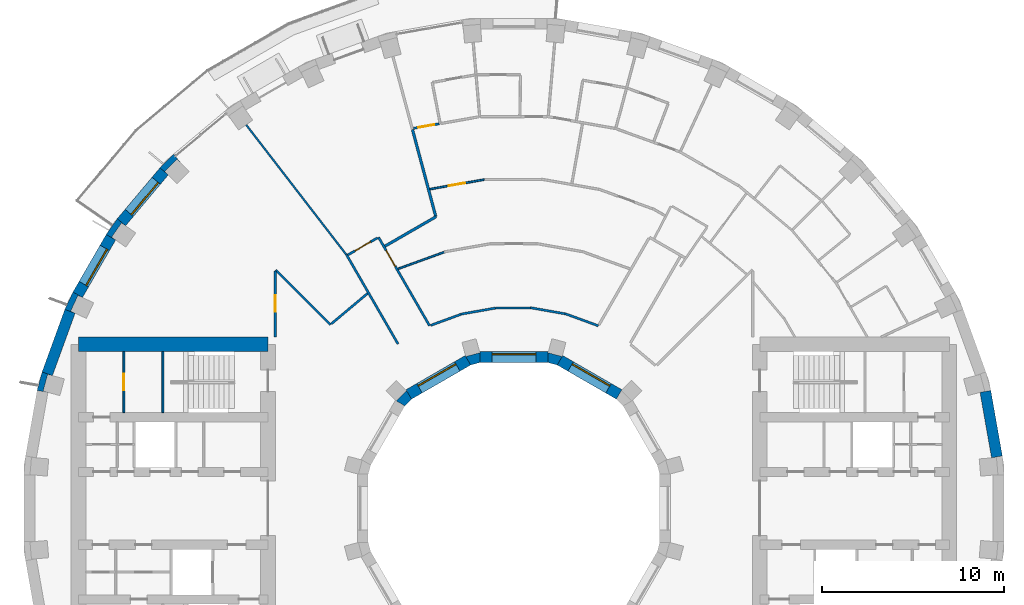
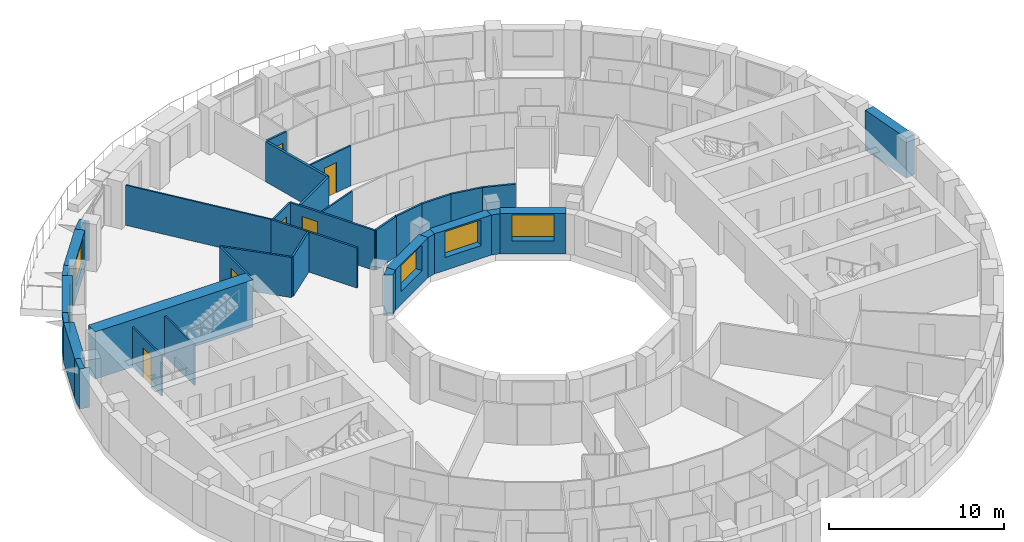
# One storey, part 10 of 14: 34 walls, 6 doors, 5 windows, 11 openings.
"""IFC4 building model written with IfcOpenShell, lengths in metres."""

from ifc_helpers import new_model, si_unit, direction, frame, frame_2d, origin, place, context, subcontext, project, spatial, polyline, rectangle, outline, extrude, material, layer, layer_set, type_object, element, fill, save


model = new_model("IFC4")

# Units and contexts
model_context = context("Model", 3, precision=1e-05, world=origin(), true_north=direction((0.0, 1.0)))
body_context = subcontext(model_context, "Body", "Model", "MODEL_VIEW")
ifc_project = project(units=[si_unit("LENGTHUNIT", "METRE"), si_unit("AREAUNIT", "SQUARE_METRE"), si_unit("VOLUMEUNIT", "CUBIC_METRE"), si_unit("PLANEANGLEUNIT", "RADIAN"), si_unit("MASSUNIT", "GRAM", prefix="KILO")], contexts=[model_context])

# Site, building, storey
site_placement = place(None, origin())
site = spatial("IfcSite", under=ifc_project, at=site_placement, CompositionType="ELEMENT")
building_placement = place(site_placement, origin())
building = spatial("IfcBuilding", under=site, at=building_placement, Name="Saqina Gate Tower", CompositionType="ELEMENT")
storey_placement = place(building_placement, frame((0.0, 0.0, 98.5)))
storey = spatial("IfcBuildingStorey", under=building, at=storey_placement, Name="L27", CompositionType="ELEMENT", Elevation=98.5)

# Walls
ifc_material_1 = material(Name="Brick masonry (buff)", Category="masonry")
wall_type_1 = type_object("IfcWallType", Name="BRICK PIER COPING BUFF", PredefinedType="SOLIDWALL", material=ifc_material_1)
wall_1_placement = place(storey_placement, origin())
element("IfcWall", 1, at=wall_1_placement, inside=storey, type_object=wall_type_1, Name="Pier cap L27 column 14", PredefinedType="SOLIDWALL", context=body_context, shape_type="SweptSolid", body=[
    extrude(outline(polyline([(-18.686279296875, 19.43212890625), (-19.43212890625, 18.686279296875), (-18.972412109375, 18.30078125), (-19.16259765625, 18.49072265625), (-18.49072265625, 19.16259765625), (-18.30078125, 18.972412109375), (-18.686279296875, 19.43212890625)])), origin(), (0.0, 0.0, 1.0), 2.800048828125),
])
wall_2_placement = place(storey_placement, origin())
element("IfcWall", 2, at=wall_2_placement, inside=storey, type_object=wall_type_1, Name="Pier cap L27 column 15", PredefinedType="SOLIDWALL", context=body_context, shape_type="SweptSolid", body=[
    extrude(outline(polyline([(-22.3818359375, 15.0283203125), (-21.862060546875, 14.728271484375), (-22.08251953125, 14.88232421875), (-21.53759765625, 15.66064453125), (-21.317138671875, 15.50634765625), (-21.77685546875, 15.89208984375), (-22.3818359375, 15.0283203125)])), origin(), (0.0, 0.0, 1.0), 2.800048828125),
])
wall_3_placement = place(storey_placement, origin())
element("IfcWall", 3, at=wall_3_placement, inside=storey, type_object=wall_type_1, Name="Pier cap L27 column 16", PredefinedType="SOLIDWALL", context=body_context, shape_type="SweptSolid", body=[
    extrude(outline(polyline([(-24.6513671875, 10.913330078125), (-24.08740234375, 10.7080078125), (-24.331298828125, 10.82177734375), (-23.9296875, 11.6826171875), (-23.68603515625, 11.569091796875), (-24.205810546875, 11.869140625), (-24.6513671875, 10.913330078125)])), origin(), (0.0, 0.0, 1.0), 2.800048828125),
])
wall_4_placement = place(storey_placement, origin())
element("IfcWall", 4, at=wall_4_placement, inside=storey, type_object=wall_type_1, Name="Pier cap L27 column 17", PredefinedType="SOLIDWALL", context=body_context, shape_type="SweptSolid", body=[
    extrude(outline(polyline([(-25.89892578125, 7.485595703125), (-26.171875, 6.466796875), (-25.5810546875, 6.36279296875), (-25.8408203125, 6.43212890625), (-25.5947265625, 7.349853515625), (-25.335205078125, 7.2802734375), (-25.89892578125, 7.485595703125)])), origin(), (0.0, 0.0, 1.0), 2.800048828125),
])

# Wall, opening, door
ifc_material_2 = material(Name="Gypsum board on steel studs", Category="steel")
ifc_layer_1 = layer(ifc_material_2, 0.10009765625)
ifc_layer_set_1 = layer_set([ifc_layer_1], Name="CORE PARTITION")
wall_type_2 = type_object("IfcWallType", Name="CORE PARTITION", PredefinedType="PARTITIONING", material=ifc_layer_set_1)
wall_5_placement = place(storey_placement, frame((-21.409912109375, 5.25, 0.0), z_axis=(0.0, 0.0, 1.0), x_axis=(0.0, 1.0, 0.0)))
wall_5 = element("IfcWall", 5, at=wall_5_placement, inside=storey, type_object=wall_type_2, Name="L27-CP-W13", PredefinedType="PARTITIONING", context=body_context, shape_type="SweptSolid", body=[
    extrude(rectangle(XDim=3.35009765625, YDim=0.10009765625, at=frame_2d((1.675048828125, 0.0))), origin(), (0.0, 0.0, 1.0), 2.800048828125),
])
opening_1_placement = place(wall_5_placement, frame((1.22509765625, 0.0, 0.0)))
opening_1 = element("IfcOpeningElement", 6, at=opening_1_placement, cuts=wall_5, Name="Opening G07-D143", PredefinedType="OPENING", context=body_context, shape_type="SweptSolid", body=[
    extrude(rectangle(XDim=0.89990234375, YDim=2.10009765625, at=frame_2d((0.449951171875, 1.050048828125))), frame((0.0, 0.06201171875, 0.0), z_axis=(0.0, -1.0, 0.0), x_axis=(1.0, 0.0, 0.0)), (0.0, 0.0, 1.0), 0.1240234375),
])
ifc_material_3 = material(Name="Steel-framed fire door leaf, EI 60", Category="steel")
door_type_1 = type_object("IfcDoorType", Name="SERVICE ROOM DOOR 900", OperationType="SINGLE_SWING_LEFT", PredefinedType="DOOR", material=ifc_material_3)
door_1_placement = place(opening_1_placement, origin())
door_1 = element("IfcDoor", 7, at=door_1_placement, inside=storey, type_object=door_type_1, Name="L27-CD-W28", OperationType="SINGLE_SWING_RIGHT", OverallHeight=2.10009765625, OverallWidth=0.89990234375, PredefinedType="DOOR", context=body_context, shape_type="SweptSolid", body=[
    extrude(rectangle(XDim=0.89990234375, YDim=2.10009765625, at=frame_2d((0.449951171875, 1.050048828125))), frame((0.0, 0.02490234375, 0.0), z_axis=(0.0, -1.0, 0.0), x_axis=(1.0, 0.0, 0.0)), (0.0, 0.0, 1.0), 0.050048828125),
])
fill(opening_1, door_1)

# Wall, opening, window
ifc_material_4 = material(Name="Brick masonry (buff)", Category="masonry")
ifc_layer_2 = layer(ifc_material_4, 0.60009765625)
ifc_layer_set_2 = layer_set([ifc_layer_2], Name="FW-BRICK-BUFF")
wall_type_3 = type_object("IfcWallType", Name="FW-BRICK-BUFF", PredefinedType="SOLIDWALL", material=ifc_layer_set_2)
wall_6_placement = place(storey_placement, frame((-19.202392578125, 18.49365234375, 0.0), z_axis=(0.0, 0.0, 1.0), x_axis=(-0.642774476932, -0.766055462616, 0.0)))
wall_6 = element("IfcWall", 8, at=wall_6_placement, inside=storey, type_object=wall_type_3, Name="Facade wall L27 facet 14", PredefinedType="SOLIDWALL", context=body_context, shape_type="SweptSolid", body=[
    extrude(rectangle(XDim=3.647705078125, YDim=0.60009765625, at=frame_2d((1.82373046875, 0.0))), origin(), (0.0, 0.0, 1.0), 2.800048828125),
])
opening_2_placement = place(wall_6_placement, frame((0.673828125, 0.0, 0.89990234375)))
opening_2 = element("IfcOpeningElement", 9, at=opening_2_placement, cuts=wall_6, Name="Opening G07-W08", PredefinedType="OPENING", context=body_context, shape_type="SweptSolid", body=[
    extrude(rectangle(XDim=2.300048828125, YDim=1.800048828125, at=frame_2d((1.14990234375, 0.89990234375))), frame((0.0, 0.31201171875, 0.0), z_axis=(0.0, -1.0, 0.0), x_axis=(1.0, 0.0, 0.0)), (0.0, 0.0, 1.0), 0.6240234375),
])
ifc_material_5 = material(Name="Aluminium glazing", Category="aluminium")
window_type_1 = type_object("IfcWindowType", Name="WN-B", PartitioningType="SINGLE_PANEL", PredefinedType="WINDOW", material=ifc_material_5)
window_1_placement = place(opening_2_placement, origin())
window_1 = element("IfcWindow", 10, at=window_1_placement, inside=storey, type_object=window_type_1, Name="Window L27 facet 14", OverallHeight=1.800048828125, OverallWidth=2.300048828125, PartitioningType="SINGLE_PANEL", PredefinedType="WINDOW", context=body_context, shape_type="SweptSolid", body=[
    extrude(rectangle(XDim=2.300048828125, YDim=1.800048828125, at=frame_2d((1.14990234375, 0.89990234375))), frame((0.0, 0.179931640625, 0.0), z_axis=(0.0, -1.0, 0.0), x_axis=(1.0, 0.0, 0.0)), (0.0, 0.0, 1.0), 0.06005859375),
])
fill(opening_2, window_1)

wall_7_placement = place(storey_placement, frame((-22.1220703125, 14.878173828125, 0.0), z_axis=(0.0, 0.0, 1.0), x_axis=(-0.499954196102, -0.866051847062, 0.0)))
wall_7 = element("IfcWall", 11, at=wall_7_placement, inside=storey, type_object=wall_type_3, Name="Facade wall L27 facet 15", PredefinedType="SOLIDWALL", context=body_context, shape_type="SweptSolid", body=[
    extrude(rectangle(XDim=3.647705078125, YDim=0.60009765625, at=frame_2d((1.82373046875, 0.0))), origin(), (0.0, 0.0, 1.0), 2.800048828125),
])
opening_3_placement = place(wall_7_placement, frame((0.673828125, 0.0, 0.89990234375)))
opening_3 = element("IfcOpeningElement", 12, at=opening_3_placement, cuts=wall_7, Name="Opening G07-W09", PredefinedType="OPENING", context=body_context, shape_type="SweptSolid", body=[
    extrude(rectangle(XDim=2.300048828125, YDim=1.800048828125, at=frame_2d((1.14990234375, 0.89990234375))), frame((0.0, 0.31201171875, 0.0), z_axis=(0.0, -1.0, 0.0), x_axis=(1.0, 0.0, 0.0)), (0.0, 0.0, 1.0), 0.6240234375),
])
window_2_placement = place(opening_3_placement, origin())
window_2 = element("IfcWindow", 13, at=window_2_placement, inside=storey, type_object=window_type_1, Name="Window L27 facet 15", OverallHeight=1.800048828125, OverallWidth=2.300048828125, PartitioningType="SINGLE_PANEL", PredefinedType="WINDOW", context=body_context, shape_type="SweptSolid", body=[
    extrude(rectangle(XDim=2.300048828125, YDim=1.800048828125, at=frame_2d((1.14990234375, 0.89990234375))), frame((0.0, 0.179931640625, 0.0), z_axis=(0.0, -1.0, 0.0), x_axis=(1.0, 0.0, 0.0)), (0.0, 0.0, 1.0), 0.06005859375),
])
fill(opening_3, window_2)

# Walls
ifc_material_6 = material(Name="Glazed ceramic tile", Category="ceramic")
ifc_layer_3 = layer(ifc_material_6, 0.60009765625)
ifc_layer_set_3 = layer_set([ifc_layer_3], Name="FW-TILE")
wall_type_4 = type_object("IfcWallType", Name="FW-TILE", PredefinedType="SOLIDWALL", material=ifc_layer_set_3)
wall_8_placement = place(storey_placement, frame((-24.369384765625, 10.810791015625, 0.0), z_axis=(0.0, 0.0, 1.0), x_axis=(-0.341990236633, -0.939703505393, 0.0)))
element("IfcWall", 14, at=wall_8_placement, inside=storey, type_object=wall_type_4, Name="Facade wall L27 facet 16", PredefinedType="SOLIDWALL", context=body_context, shape_type="SweptSolid", body=[
    extrude(rectangle(XDim=3.64794921875, YDim=0.60009765625, at=frame_2d((1.823974609375, 0.0))), origin(), (0.0, 0.0, 1.0), 2.800048828125),
])
ifc_material_7 = material(Name="Glazed ceramic tile (white)", Category="ceramic")
ifc_layer_4 = layer(ifc_material_7, 0.60009765625)
ifc_layer_set_4 = layer_set([ifc_layer_4], Name="FW-TILE-WH")
wall_type_5 = type_object("IfcWallType", Name="FW-TILE-WH", PredefinedType="SOLIDWALL", material=ifc_layer_set_4)
wall_9_placement = place(storey_placement, frame((26.510009765625, 2.822265625, 0.0), z_axis=(0.0, 0.0, 1.0), x_axis=(-0.173670796382, 0.984803764455, 0.0)))
element("IfcWall", 15, at=wall_9_placement, inside=storey, type_object=wall_type_5, Name="Facade wall L27 facet 1", PredefinedType="SOLIDWALL", context=body_context, shape_type="SweptSolid", body=[
    extrude(rectangle(XDim=3.64794921875, YDim=0.60009765625, at=frame_2d((1.823974609375, 0.0))), origin(), (0.0, 0.0, 1.0), 2.800048828125),
])

# Wall, opening, window
ifc_material_8 = material(Name="Glazed ceramic tile", Category="ceramic")
ifc_layer_5 = layer(ifc_material_8, 0.60009765625)
ifc_layer_set_5 = layer_set([ifc_layer_5], Name="IW-TILE")
wall_type_6 = type_object("IfcWallType", Name="IW-TILE", PredefinedType="SOLIDWALL", material=ifc_layer_set_5)
wall_10_placement = place(storey_placement, frame((5.772705078125, 6.251220703125, 0.0), z_axis=(0.0, 0.0, 1.0), x_axis=(-0.86604563398, 0.499964958637, 0.0)))
wall_10 = element("IfcWall", 16, at=wall_10_placement, inside=storey, type_object=wall_type_6, Name="Well wall L27 facet 2", PredefinedType="SOLIDWALL", context=body_context, shape_type="SweptSolid", body=[
    extrude(rectangle(XDim=3.747314453125, YDim=0.60009765625, at=frame_2d((1.87353515625, 0.0))), origin(), (0.0, 0.0, 1.0), 2.800048828125),
])
opening_4_placement = place(wall_10_placement, frame((0.673583984375, 0.0, 0.89990234375)))
opening_4 = element("IfcOpeningElement", 17, at=opening_4_placement, cuts=wall_10, Name="Opening G07-W24", PredefinedType="OPENING", context=body_context, shape_type="SweptSolid", body=[
    extrude(rectangle(XDim=2.39990234375, YDim=1.800048828125, at=frame_2d((1.199951171875, 0.89990234375))), frame((0.0, 0.31201171875, 0.0), z_axis=(0.0, -1.0, 0.0), x_axis=(1.0, 0.0, 0.0)), (0.0, 0.0, 1.0), 0.6240234375),
])
ifc_material_9 = material(Name="Aluminium glazing", Category="aluminium")
window_type_2 = type_object("IfcWindowType", Name="WN-W", PartitioningType="SINGLE_PANEL", PredefinedType="WINDOW", material=ifc_material_9)
window_3_placement = place(opening_4_placement, origin())
window_3 = element("IfcWindow", 18, at=window_3_placement, inside=storey, type_object=window_type_2, Name="Well window L27 facet 2", OverallHeight=1.800048828125, OverallWidth=2.39990234375, PartitioningType="SINGLE_PANEL", PredefinedType="WINDOW", context=body_context, shape_type="SweptSolid", body=[
    extrude(rectangle(XDim=2.39990234375, YDim=1.800048828125, at=frame_2d((1.199951171875, 0.89990234375))), frame((0.0, -0.119873046875, 0.0), z_axis=(0.0, -1.0, 0.0), x_axis=(1.0, 0.0, 0.0)), (0.0, 0.0, 1.0), 0.06005859375),
])
fill(opening_4, window_3)

wall_11_placement = place(storey_placement, frame((1.873779296875, 8.300048828125, 0.0), z_axis=(0.0, 0.0, 1.0), x_axis=(-1.0, 0.0, 0.0)))
wall_11 = element("IfcWall", 19, at=wall_11_placement, inside=storey, type_object=wall_type_6, Name="Well wall L27 facet 3", PredefinedType="SOLIDWALL", context=body_context, shape_type="SweptSolid", body=[
    extrude(rectangle(XDim=3.74755859375, YDim=0.60009765625, at=frame_2d((1.873779296875, 0.0))), origin(), (0.0, 0.0, 1.0), 2.800048828125),
])
opening_5_placement = place(wall_11_placement, frame((0.673583984375, 0.0, 0.89990234375)))
opening_5 = element("IfcOpeningElement", 20, at=opening_5_placement, cuts=wall_11, Name="Opening G07-W25", PredefinedType="OPENING", context=body_context, shape_type="SweptSolid", body=[
    extrude(rectangle(XDim=2.39990234375, YDim=1.800048828125, at=frame_2d((1.199951171875, 0.89990234375))), frame((0.0, 0.31201171875, 0.0), z_axis=(0.0, -1.0, 0.0), x_axis=(1.0, 0.0, 0.0)), (0.0, 0.0, 1.0), 0.6240234375),
])
window_4_placement = place(opening_5_placement, origin())
window_4 = element("IfcWindow", 21, at=window_4_placement, inside=storey, type_object=window_type_2, Name="Well window L27 facet 3", OverallHeight=1.800048828125, OverallWidth=2.39990234375, PartitioningType="SINGLE_PANEL", PredefinedType="WINDOW", context=body_context, shape_type="SweptSolid", body=[
    extrude(rectangle(XDim=2.39990234375, YDim=1.800048828125, at=frame_2d((1.199951171875, 0.89990234375))), frame((0.0, -0.119873046875, 0.0), z_axis=(0.0, -1.0, 0.0), x_axis=(1.0, 0.0, 0.0)), (0.0, 0.0, 1.0), 0.06005859375),
])
fill(opening_5, window_4)

wall_12_placement = place(storey_placement, frame((-2.52734375, 8.124755859375, 0.0), z_axis=(0.0, 0.0, 1.0), x_axis=(-0.86604563398, -0.499964958637, 0.0)))
wall_12 = element("IfcWall", 22, at=wall_12_placement, inside=storey, type_object=wall_type_6, Name="Well wall L27 facet 4", PredefinedType="SOLIDWALL", context=body_context, shape_type="SweptSolid", body=[
    extrude(rectangle(XDim=3.747314453125, YDim=0.60009765625, at=frame_2d((1.87353515625, 0.0))), origin(), (0.0, 0.0, 1.0), 2.800048828125),
])
opening_6_placement = place(wall_12_placement, frame((0.673583984375, 0.0, 0.89990234375)))
opening_6 = element("IfcOpeningElement", 23, at=opening_6_placement, cuts=wall_12, Name="Opening G07-W26", PredefinedType="OPENING", context=body_context, shape_type="SweptSolid", body=[
    extrude(rectangle(XDim=2.39990234375, YDim=1.800048828125, at=frame_2d((1.199951171875, 0.89990234375))), frame((0.0, 0.31201171875, 0.0), z_axis=(0.0, -1.0, 0.0), x_axis=(1.0, 0.0, 0.0)), (0.0, 0.0, 1.0), 0.6240234375),
])
window_5_placement = place(opening_6_placement, origin())
window_5 = element("IfcWindow", 24, at=window_5_placement, inside=storey, type_object=window_type_2, Name="Well window L27 facet 4", OverallHeight=1.800048828125, OverallWidth=2.39990234375, PartitioningType="SINGLE_PANEL", PredefinedType="WINDOW", context=body_context, shape_type="SweptSolid", body=[
    extrude(rectangle(XDim=2.39990234375, YDim=1.800048828125, at=frame_2d((1.199951171875, 0.89990234375))), frame((0.0, -0.119873046875, 0.0), z_axis=(0.0, -1.0, 0.0), x_axis=(1.0, 0.0, 0.0)), (0.0, 0.0, 1.0), 0.06005859375),
])
fill(opening_6, window_5)

# Wall
ifc_material_10 = material(Name="Gypsum board on steel studs, 100 mm", Category="steel")
ifc_layer_6 = layer(ifc_material_10, 0.10009765625)
ifc_layer_set_6 = layer_set([ifc_layer_6], Name="PARTITION 100")
wall_type_7 = type_object("IfcWallType", Name="PARTITION 100", PredefinedType="PARTITIONING", material=ifc_layer_set_6)
wall_13_placement = place(storey_placement, frame((-14.6943359375, 21.042236328125, 0.0), z_axis=(0.0, 0.0, 1.0), x_axis=(0.610804913832, -0.79178112963, 0.0)))
element("IfcWall", 25, at=wall_13_placement, inside=storey, type_object=wall_type_7, Name="PARTITION PW3-15", PredefinedType="PARTITIONING", context=body_context, shape_type="SweptSolid", body=[
    extrude(rectangle(XDim=8.988525390625, YDim=0.10009765625, at=frame_2d((4.494140625, 0.0))), origin(), (0.0, 0.0, 1.0), 2.800048828125),
])

# Wall, opening, door
wall_14_placement = place(storey_placement, frame((-4.6162109375, 17.51708984375, 0.0), z_axis=(0.0, 0.0, 1.0), x_axis=(0.984849913621, 0.173408903003, 0.0)))
wall_14 = element("IfcWall", 26, at=wall_14_placement, inside=storey, type_object=wall_type_7, Name="PARTITION PW3-62", PredefinedType="PARTITIONING", context=body_context, shape_type="SweptSolid", body=[
    extrude(rectangle(XDim=3.033935546875, YDim=0.10009765625, at=frame_2d((1.51708984375, 0.0))), origin(), (0.0, 0.0, 1.0), 2.800048828125),
])
opening_7_placement = place(wall_14_placement, frame((1.054443359375, 0.0, 0.0)))
opening_7 = element("IfcOpeningElement", 27, at=opening_7_placement, cuts=wall_14, Name="Opening G07-D19", PredefinedType="OPENING", context=body_context, shape_type="SweptSolid", body=[
    extrude(rectangle(XDim=0.89990234375, YDim=2.10009765625, at=frame_2d((0.449951171875, 1.050048828125))), frame((0.0, 0.06201171875, 0.0), z_axis=(0.0, -1.0, 0.0), x_axis=(1.0, 0.0, 0.0)), (0.0, 0.0, 1.0), 0.1240234375),
])
ifc_material_11 = material(Name="Timber door leaf, 900 mm", Category="wood")
door_type_2 = type_object("IfcDoorType", Name="DOOR 900 TIMBER", OperationType="SINGLE_SWING_LEFT", PredefinedType="DOOR", material=ifc_material_11)
door_2_placement = place(opening_7_placement, frame((0.89990234375, 0.0, 0.0), z_axis=(0.0, 0.0, 1.0), x_axis=(-1.0, 0.0, 0.0)))
door_2 = element("IfcDoor", 28, at=door_2_placement, inside=storey, type_object=door_type_2, Name="DOOR G07-D19", OperationType="SINGLE_SWING_RIGHT", OverallHeight=2.10009765625, OverallWidth=0.89990234375, PredefinedType="DOOR", context=body_context, shape_type="SweptSolid", body=[
    extrude(rectangle(XDim=0.89990234375, YDim=2.10009765625, at=frame_2d((0.449951171875, 1.050048828125))), frame((0.0, 0.02490234375, 0.0), z_axis=(0.0, -1.0, 0.0), x_axis=(1.0, 0.0, 0.0)), (0.0, 0.0, 1.0), 0.050048828125),
])
fill(opening_7, door_2)

# Walls
wall_15_placement = place(storey_placement, frame((-6.361083984375, 13.141357421875, 0.0), z_axis=(0.0, 0.0, 1.0), x_axis=(0.939569098227, 0.342359328275, 0.0)))
element("IfcWall", 29, at=wall_15_placement, inside=storey, type_object=wall_type_7, Name="PARTITION PW3-68", PredefinedType="PARTITIONING", context=body_context, shape_type="SweptSolid", body=[
    extrude(rectangle(XDim=2.703369140625, YDim=0.10009765625, at=frame_2d((1.3515625, 0.0))), origin(), (0.0, 0.0, 1.0), 2.800048828125),
])
ifc_material_12 = material(Name="Gypsum board on steel studs, 125 mm, fire rated", Category="steel")
ifc_layer_7 = layer(ifc_material_12, 0.125)
ifc_layer_set_7 = layer_set([ifc_layer_7], Name="PARTITION EI 30 125")
wall_type_8 = type_object("IfcWallType", Name="PARTITION EI 30 125", PredefinedType="PARTITIONING", material=ifc_layer_set_7)
wall_16_placement = place(storey_placement, frame((-9.197265625, 13.930419921875, 0.0), z_axis=(0.0, 0.0, 1.0), x_axis=(0.499811918813, -0.86613396528, 0.0)))
element("IfcWall", 30, at=wall_16_placement, inside=storey, type_object=wall_type_8, Name="PARTITION PW1-03", PredefinedType="PARTITIONING", context=body_context, shape_type="SweptSolid", body=[
    extrude(rectangle(XDim=5.669677734375, YDim=0.125, at=frame_2d((2.8349609375, 0.0))), origin(), (0.0, 0.0, 1.0), 2.800048828125),
])

# Wall, opening, door
wall_17_placement = place(storey_placement, frame((-7.43408203125, 14.8759765625, 0.0), z_axis=(0.0, 0.0, 1.0), x_axis=(0.499750096908, -0.866169637335, 0.0)))
wall_17 = element("IfcWall", 31, at=wall_17_placement, inside=storey, type_object=wall_type_8, Name="PARTITION PW1-04", PredefinedType="PARTITIONING", context=body_context, shape_type="SweptSolid", body=[
    extrude(rectangle(XDim=5.606689453125, YDim=0.125, at=frame_2d((2.80322265625, 0.0))), origin(), (0.0, 0.0, 1.0), 2.800048828125),
])
opening_8_placement = place(wall_17_placement, frame((0.83740234375, 0.0, 0.0)))
opening_8 = element("IfcOpeningElement", 32, at=opening_8_placement, cuts=wall_17, Name="Opening G07-D21", PredefinedType="OPENING", context=body_context, shape_type="SweptSolid", body=[
    extrude(rectangle(XDim=1.0, YDim=2.10009765625, at=frame_2d((0.5, 1.050048828125))), frame((0.0, 0.074462890625, 0.0), z_axis=(0.0, -1.0, 0.0), x_axis=(1.0, 0.0, 0.0)), (0.0, 0.0, 1.0), 0.14892578125),
])
ifc_material_13 = material(Name="Fire door leaf EI 30, 1000 mm")
door_type_3 = type_object("IfcDoorType", Name="DOOR 1000 EI 30", OperationType="SINGLE_SWING_LEFT", PredefinedType="DOOR", material=ifc_material_13)
door_3_placement = place(opening_8_placement, origin())
door_3 = element("IfcDoor", 33, at=door_3_placement, inside=storey, type_object=door_type_3, Name="DOOR G07-D21", OperationType="SINGLE_SWING_LEFT", OverallHeight=2.10009765625, OverallWidth=1.0, PredefinedType="DOOR", context=body_context, shape_type="SweptSolid", body=[
    extrude(rectangle(XDim=1.0, YDim=2.10009765625, at=frame_2d((0.5, 1.050048828125))), frame((0.0, 0.02490234375, 0.0), z_axis=(0.0, -1.0, 0.0), x_axis=(1.0, 0.0, 0.0)), (0.0, 0.0, 1.0), 0.050048828125),
])
fill(opening_8, door_3)

# Walls
wall_18_placement = place(storey_placement, frame((-13.078857421875, 13.078857421875, 0.0), z_axis=(0.0, 0.0, 1.0), x_axis=(0.707106781187, -0.707106781187, 0.0)))
element("IfcWall", 34, at=wall_18_placement, inside=storey, type_object=wall_type_8, Name="PARTITION PW1-09", PredefinedType="PARTITIONING", context=body_context, shape_type="SweptSolid", body=[
    extrude(rectangle(XDim=4.2421875, YDim=0.125, at=frame_2d((2.12109375, 0.0))), origin(), (0.0, 0.0, 1.0), 2.800048828125),
])
wall_19_placement = place(storey_placement, frame((2.7978515625, 10.68505859375, 0.0), z_axis=(0.0, 0.0, 1.0), x_axis=(0.939595877431, -0.342285826635, 0.0)))
element("IfcWall", 35, at=wall_19_placement, inside=storey, type_object=wall_type_8, Name="PARTITION PW1-21", PredefinedType="PARTITIONING", context=body_context, shape_type="SweptSolid", body=[
    extrude(rectangle(XDim=1.949951171875, YDim=0.125, at=frame_2d((0.97509765625, 0.0))), origin(), (0.0, 0.0, 1.0), 2.800048828125),
])
wall_20_placement = place(storey_placement, frame((0.8994140625, 11.010986328125, 0.0), z_axis=(0.0, 0.0, 1.0), x_axis=(0.984830733923, -0.173517795977, 0.0)))
element("IfcWall", 36, at=wall_20_placement, inside=storey, type_object=wall_type_8, Name="PARTITION PW1-25", PredefinedType="PARTITIONING", context=body_context, shape_type="SweptSolid", body=[
    extrude(rectangle(XDim=1.92626953125, YDim=0.125, at=frame_2d((0.963134765625, 0.0))), origin(), (0.0, 0.0, 1.0), 2.800048828125),
])
wall_21_placement = place(storey_placement, frame((-1.025390625, 11.0, 0.0), z_axis=(0.0, 0.0, 1.0), x_axis=(1.0, 0.0, 0.0)))
element("IfcWall", 37, at=wall_21_placement, inside=storey, type_object=wall_type_8, Name="PARTITION PW1-29", PredefinedType="PARTITIONING", context=body_context, shape_type="SweptSolid", body=[
    extrude(rectangle(XDim=1.9248046875, YDim=0.125, at=frame_2d((0.96240234375, 0.0))), origin(), (0.0, 0.0, 1.0), 2.800048828125),
])
wall_22_placement = place(storey_placement, frame((-2.920166015625, 10.655029296875, 0.0), z_axis=(0.0, 0.0, 1.0), x_axis=(0.98482691703, 0.173539458027, 0.0)))
element("IfcWall", 38, at=wall_22_placement, inside=storey, type_object=wall_type_8, Name="PARTITION PW1-33", PredefinedType="PARTITIONING", context=body_context, shape_type="SweptSolid", body=[
    extrude(rectangle(XDim=1.926025390625, YDim=0.125, at=frame_2d((0.962890625, 0.0))), origin(), (0.0, 0.0, 1.0), 2.800048828125),
])

# Wall, opening, door
wall_23_placement = place(storey_placement, frame((-5.51123046875, 20.85693359375, 0.0), z_axis=(0.0, 0.0, 1.0), x_axis=(0.984845301527, 0.173435094659, 0.0)))
wall_23 = element("IfcWall", 39, at=wall_23_placement, inside=storey, type_object=wall_type_8, Name="PARTITION PW1-34", PredefinedType="PARTITIONING", context=body_context, shape_type="SweptSolid", body=[
    extrude(rectangle(XDim=1.431640625, YDim=0.125, at=frame_2d((0.7158203125, 0.0))), origin(), (0.0, 0.0, 1.0), 2.800048828125),
])
opening_9_placement = place(wall_23_placement, frame((0.25390625, 0.0, 0.0)))
opening_9 = element("IfcOpeningElement", 40, at=opening_9_placement, cuts=wall_23, Name="Opening G07-D20", PredefinedType="OPENING", context=body_context, shape_type="SweptSolid", body=[
    extrude(rectangle(XDim=0.89990234375, YDim=2.10009765625, at=frame_2d((0.449951171875, 1.050048828125))), frame((0.0, 0.074462890625, 0.0), z_axis=(0.0, -1.0, 0.0), x_axis=(1.0, 0.0, 0.0)), (0.0, 0.0, 1.0), 0.14892578125),
])
ifc_material_14 = material(Name="Fire door leaf EI 30, 900 mm")
door_type_4 = type_object("IfcDoorType", Name="DOOR 900 EI 30", OperationType="SINGLE_SWING_LEFT", PredefinedType="DOOR", material=ifc_material_14)
door_4_placement = place(opening_9_placement, frame((0.89990234375, 0.0, 0.0), z_axis=(0.0, 0.0, 1.0), x_axis=(-1.0, 0.0, 0.0)))
door_4 = element("IfcDoor", 41, at=door_4_placement, inside=storey, type_object=door_type_4, Name="DOOR G07-D20", OperationType="SINGLE_SWING_RIGHT", OverallHeight=2.10009765625, OverallWidth=0.89990234375, PredefinedType="DOOR", context=body_context, shape_type="SweptSolid", body=[
    extrude(rectangle(XDim=0.89990234375, YDim=2.10009765625, at=frame_2d((0.449951171875, 1.050048828125))), frame((0.0, 0.02490234375, 0.0), z_axis=(0.0, -1.0, 0.0), x_axis=(1.0, 0.0, 0.0)), (0.0, 0.0, 1.0), 0.050048828125),
])
fill(opening_9, door_4)

# Wall
wall_24_placement = place(storey_placement, frame((-4.572265625, 10.04150390625, 0.0), z_axis=(0.0, 0.0, 1.0), x_axis=(0.939578855371, 0.342332549635, 0.0)))
element("IfcWall", 42, at=wall_24_placement, inside=storey, type_object=wall_type_8, Name="PARTITION PW1-37", PredefinedType="PARTITIONING", context=body_context, shape_type="SweptSolid", body=[
    extrude(rectangle(XDim=1.76220703125, YDim=0.125, at=frame_2d((0.881103515625, 0.0))), origin(), (0.0, 0.0, 1.0), 2.800048828125),
])

# Wall, opening, door
wall_25_placement = place(storey_placement, frame((-9.1220703125, 13.904052734375, 0.0), z_axis=(0.0, 0.0, 1.0), x_axis=(0.866620759959, 0.498967392128, 0.0)))
wall_25 = element("IfcWall", 43, at=wall_25_placement, inside=storey, type_object=wall_type_8, Name="PARTITION PW1-38", PredefinedType="PARTITIONING", context=body_context, shape_type="SweptSolid", body=[
    extrude(rectangle(XDim=1.88525390625, YDim=0.125, at=frame_2d((0.942626953125, 0.0))), origin(), (0.0, 0.0, 1.0), 2.800048828125),
])
opening_10_placement = place(wall_25_placement, frame((0.44775390625, 0.0, 0.0)))
opening_10 = element("IfcOpeningElement", 44, at=opening_10_placement, cuts=wall_25, Name="Opening G07-D22", PredefinedType="OPENING", context=body_context, shape_type="SweptSolid", body=[
    extrude(rectangle(XDim=1.0, YDim=2.10009765625, at=frame_2d((0.5, 1.050048828125))), frame((0.0, 0.074462890625, 0.0), z_axis=(0.0, -1.0, 0.0), x_axis=(1.0, 0.0, 0.0)), (0.0, 0.0, 1.0), 0.14892578125),
])
door_5_placement = place(opening_10_placement, frame((1.0, 0.0, 0.0), z_axis=(0.0, 0.0, 1.0), x_axis=(-1.0, 0.0, 0.0)))
door_5 = element("IfcDoor", 45, at=door_5_placement, inside=storey, type_object=door_type_3, Name="DOOR G07-D22", OperationType="SINGLE_SWING_LEFT", OverallHeight=2.10009765625, OverallWidth=1.0, PredefinedType="DOOR", context=body_context, shape_type="SweptSolid", body=[
    extrude(rectangle(XDim=1.0, YDim=2.10009765625, at=frame_2d((0.5, 1.050048828125))), frame((0.0, 0.02490234375, 0.0), z_axis=(0.0, -1.0, 0.0), x_axis=(1.0, 0.0, 0.0)), (0.0, 0.0, 1.0), 0.050048828125),
])
fill(opening_10, door_5)

# Wall
wall_26_placement = place(storey_placement, frame((-10.03125, 10.119384765625, 0.0), z_axis=(0.0, 0.0, 1.0), x_axis=(0.766096242005, 0.642725873126, 0.0)))
element("IfcWall", 46, at=wall_26_placement, inside=storey, type_object=wall_type_8, Name="PARTITION PW1-42", PredefinedType="PARTITIONING", context=body_context, shape_type="SweptSolid", body=[
    extrude(rectangle(XDim=2.604248046875, YDim=0.125, at=frame_2d((1.30224609375, 0.0))), origin(), (0.0, 0.0, 1.0), 2.800048828125),
])

# Wall, opening, door
wall_27_placement = place(storey_placement, frame((-13.10009765625, 9.39990234375, 0.0), z_axis=(0.0, 0.0, 1.0), x_axis=(0.0, 1.0, 0.0)))
wall_27 = element("IfcWall", 47, at=wall_27_placement, inside=storey, type_object=wall_type_8, Name="PARTITION PW1-52", PredefinedType="PARTITIONING", context=body_context, shape_type="SweptSolid", body=[
    extrude(rectangle(XDim=3.63671875, YDim=0.125, at=frame_2d((1.818359375, 0.0))), origin(), (0.0, 0.0, 1.0), 2.800048828125),
])
opening_11_placement = place(wall_27_placement, frame((1.3994140625, 0.0, 0.0)))
opening_11 = element("IfcOpeningElement", 48, at=opening_11_placement, cuts=wall_27, Name="Opening G07-D23", PredefinedType="OPENING", context=body_context, shape_type="SweptSolid", body=[
    extrude(rectangle(XDim=0.89990234375, YDim=2.10009765625, at=frame_2d((0.449951171875, 1.050048828125))), frame((0.0, 0.074462890625, 0.0), z_axis=(0.0, -1.0, 0.0), x_axis=(1.0, 0.0, 0.0)), (0.0, 0.0, 1.0), 0.14892578125),
])
door_6_placement = place(opening_11_placement, frame((0.89990234375, 0.0, 0.0), z_axis=(0.0, 0.0, 1.0), x_axis=(-1.0, 0.0, 0.0)))
door_6 = element("IfcDoor", 49, at=door_6_placement, inside=storey, type_object=door_type_4, Name="DOOR G07-D23", OperationType="SINGLE_SWING_LEFT", OverallHeight=2.10009765625, OverallWidth=0.89990234375, PredefinedType="DOOR", context=body_context, shape_type="SweptSolid", body=[
    extrude(rectangle(XDim=0.89990234375, YDim=2.10009765625, at=frame_2d((0.449951171875, 1.050048828125))), frame((0.0, 0.02490234375, 0.0), z_axis=(0.0, -1.0, 0.0), x_axis=(1.0, 0.0, 0.0)), (0.0, 0.0, 1.0), 0.050048828125),
])
fill(opening_11, door_6)

# Walls
ifc_material_15 = material(Name="Gypsum board on steel studs, 150 mm, fire rated", Category="steel")
ifc_layer_8 = layer(ifc_material_15, 0.14990234375)
ifc_layer_set_8 = layer_set([ifc_layer_8], Name="PARTITION EI 60 150")
wall_type_9 = type_object("IfcWallType", Name="PARTITION EI 60 150", PredefinedType="PARTITIONING", material=ifc_layer_set_8)
wall_28_placement = place(storey_placement, frame((-5.56884765625, 20.78369140625, 0.0), z_axis=(0.0, 0.0, 1.0), x_axis=(0.258810886784, -0.965928012267, 0.0)))
element("IfcWall", 50, at=wall_28_placement, inside=storey, type_object=wall_type_9, Name="PARTITION PW2-01", PredefinedType="PARTITIONING", context=body_context, shape_type="SweptSolid", body=[
    extrude(rectangle(XDim=4.94873046875, YDim=0.14990234375, at=frame_2d((2.474365234375, 0.0))), origin(), (0.0, 0.0, 1.0), 2.800048828125),
])
wall_29_placement = place(storey_placement, frame((-7.079833984375, 14.38720703125, 0.0), z_axis=(0.0, 0.0, 1.0), x_axis=(0.865957178428, 0.500118151169, 0.0)))
element("IfcWall", 51, at=wall_29_placement, inside=storey, type_object=wall_type_9, Name="PARTITION PW2-02", PredefinedType="PARTITIONING", context=body_context, shape_type="SweptSolid", body=[
    extrude(rectangle(XDim=3.239990234375, YDim=0.14990234375, at=frame_2d((1.6201171875, 0.0))), origin(), (0.0, 0.0, 1.0), 2.800048828125),
])
ifc_material_16 = material(Name="Autoclaved aerated concrete block", Category="concrete")
ifc_layer_9 = layer(ifc_material_16, 0.10009765625)
ifc_layer_set_9 = layer_set([ifc_layer_9], Name="STAIR ENCLOSURE WALL")
wall_type_10 = type_object("IfcWallType", Name="STAIR ENCLOSURE WALL", PredefinedType="PARTITIONING", material=ifc_layer_set_9)
wall_30_placement = place(storey_placement, frame((-19.27001953125, 5.25, 0.0), z_axis=(0.0, 0.0, 1.0), x_axis=(0.0, 1.0, 0.0)))
element("IfcWall", 52, at=wall_30_placement, inside=storey, type_object=wall_type_10, Name="L27-CP-W12", PredefinedType="PARTITIONING", context=body_context, shape_type="SweptSolid", body=[
    extrude(rectangle(XDim=3.35009765625, YDim=0.10009765625, at=frame_2d((1.675048828125, 0.0))), origin(), (0.0, 0.0, 1.0), 2.800048828125),
])
ifc_material_17 = material(Name="Concrete C70/85", Category="concrete")
ifc_layer_10 = layer(ifc_material_17, 0.800048828125)
ifc_layer_set_10 = layer_set([ifc_layer_10], Name="Concrete C70/85")
wall_type_11 = type_object("IfcWallType", Name="STR-CORE WALL-B-O", PredefinedType="SHEAR", material=ifc_layer_set_10)
wall_31_placement = place(storey_placement, frame((-13.5, 9.0, 0.0), z_axis=(0.0, 0.0, 1.0), x_axis=(-1.0, 0.0, 0.0)))
element("IfcWall", 53, at=wall_31_placement, inside=storey, type_object=wall_type_11, Name="CORE WALL L27 W-NE", PredefinedType="SHEAR", context=body_context, shape_type="SweptSolid", body=[
    extrude(rectangle(XDim=10.39990234375, YDim=0.800048828125, at=frame_2d((5.199951171875, 0.0))), origin(), (0.0, 0.0, 1.0), 3.300048828125),
])
ifc_material_18 = material(Name="Glazed ceramic tile", Category="ceramic")
wall_type_12 = type_object("IfcWallType", Name="TILE PIER COPING", PredefinedType="SOLIDWALL", material=ifc_material_18)
wall_32_placement = place(storey_placement, origin())
element("IfcWall", 54, at=wall_32_placement, inside=storey, type_object=wall_type_12, Name="Well pier cap L27 column 3", PredefinedType="SOLIDWALL", context=body_context, shape_type="SweptSolid", body=[
    extrude(outline(polyline([(1.873779296875, 8.5380859375), (1.873779296875, 8.0), (2.377197265625, 7.864990234375), (2.646484375, 8.3310546875), (1.873779296875, 8.5380859375)])), origin(), (0.0, 0.0, 1.0), 2.800048828125),
])
wall_33_placement = place(storey_placement, origin())
element("IfcWall", 55, at=wall_33_placement, inside=storey, type_object=wall_type_12, Name="Well pier cap L27 column 4", PredefinedType="SOLIDWALL", context=body_context, shape_type="SweptSolid", body=[
    extrude(outline(polyline([(-2.646484375, 8.3310546875), (-2.377197265625, 7.864990234375), (-1.873779296875, 8.0), (-1.873779296875, 8.5380859375), (-2.646484375, 8.3310546875)])), origin(), (0.0, 0.0, 1.0), 2.800048828125),
])
wall_34_placement = place(storey_placement, origin())
element("IfcWall", 56, at=wall_34_placement, inside=storey, type_object=wall_type_12, Name="Well pier cap L27 column 5", PredefinedType="SOLIDWALL", context=body_context, shape_type="SweptSolid", body=[
    extrude(outline(polyline([(-6.45751953125, 5.891845703125), (-5.991455078125, 5.622802734375), (-5.622802734375, 5.991455078125), (-5.891845703125, 6.45751953125), (-6.45751953125, 5.891845703125)])), origin(), (0.0, 0.0, 1.0), 2.800048828125),
])

save(model, "model.ifc")
